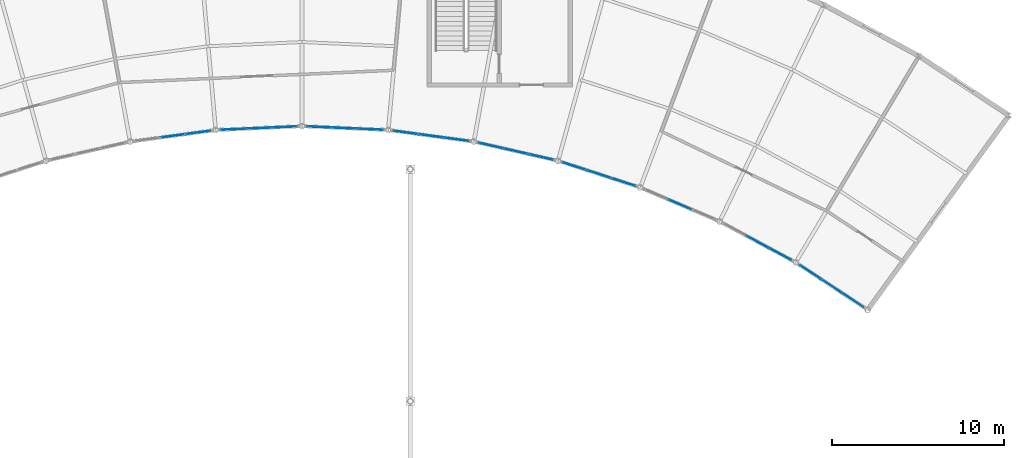
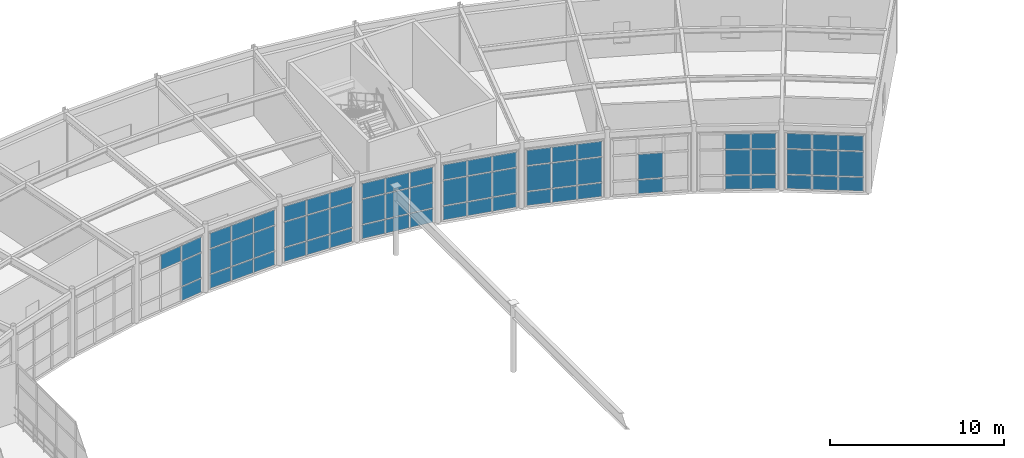
# One storey, part 89 of 116: 66 plates, 9 elements without a shape of their own.
"""IFC4 building model written with IfcOpenShell, lengths in metres."""

from ifc_helpers import new_model, si_unit, direction, frame, origin, origin_2d, place, context, subcontext, project, spatial, rectangle, extrude, material, layer, layer_set, type_object, element, aggregate, save


model = new_model("IFC4")

# Units and contexts
model_context = context("Model", 3, precision=1e-05, world=origin(), true_north=direction((0.0, 1.0)))
body_context = subcontext(model_context, "Body", "Model", "MODEL_VIEW")
ifc_project = project(units=[si_unit("LENGTHUNIT", "METRE"), si_unit("AREAUNIT", "SQUARE_METRE"), si_unit("VOLUMEUNIT", "CUBIC_METRE"), si_unit("PLANEANGLEUNIT", "RADIAN"), si_unit("MASSUNIT", "GRAM", prefix="KILO")], contexts=[model_context])

# Site, building, storey
site_placement = place(None, origin())
site = spatial("IfcSite", under=ifc_project, at=site_placement, CompositionType="ELEMENT")
building_placement = place(site_placement, origin())
building = spatial("IfcBuilding", under=site, at=building_placement, Name="Selat Folded Stagehouse", CompositionType="ELEMENT")
storey_placement = place(building_placement, frame((0.0, 0.0, 5.39990234375)))
storey = spatial("IfcBuildingStorey", under=building, at=storey_placement, Name="L01", CompositionType="ELEMENT", Elevation=5.39990234375)

# Curtain wall, plates
ifc_material_1 = material(Name="Aluminium 6063-T6", Category="aluminium")
ifc_layer_1 = layer(ifc_material_1, 0.18994140625)
ifc_layer_set_1 = layer_set([ifc_layer_1], Name="Aluminium 6063-T6")
curtain_wall_type = type_object("IfcCurtainWallType", Name="CW-REH-ARC", PredefinedType="NOTDEFINED", material=ifc_layer_set_1)
curtain_wall_1_placement = place(storey_placement, origin())
curtain_wall_1 = element("IfcCurtainWall", 1, at=curtain_wall_1_placement, inside=storey, type_object=curtain_wall_type, Name="L01 curtain wall CW-REH-L01-05", PredefinedType="NOTDEFINED")
ifc_material_2 = material(Name="Laminated low-E double glazing", Category="glass")
ifc_layer_2 = layer(ifc_material_2, 0.031982421875)
ifc_layer_set_2 = layer_set([ifc_layer_2], Name="Laminated low-E double glazing")
plate_type = type_object("IfcPlateType", Name="CWP-GLZ-DGU32", PredefinedType="CURTAIN_PANEL", material=ifc_layer_set_2)
plate_1_placement = place(storey_placement, frame((86.370361328125, 93.6376953125, 0.06494140625), z_axis=(0.0, 0.0, 1.0), x_axis=(-0.990952673876, -0.134211766018, 0.0)))
plate_1 = element("IfcPlate", 2, at=plate_1_placement, type_object=plate_type, Name="CW-06 panel 1.1", PredefinedType="CURTAIN_PANEL", context=body_context, shape_type="SweptSolid", body=[
    extrude(rectangle(XDim=1.418212890625, YDim=0.031982421875, at=origin_2d()), origin(), (0.0, 0.0, 1.0), 0.952392578125),
])
plate_2_placement = place(storey_placement, frame((86.370361328125, 93.6376953125, 1.08251953125), z_axis=(0.0, 0.0, 1.0), x_axis=(-0.990952673876, -0.134211766018, 0.0)))
plate_2 = element("IfcPlate", 3, at=plate_2_placement, type_object=plate_type, Name="CW-06 panel 1.2", PredefinedType="CURTAIN_PANEL", context=body_context, shape_type="SweptSolid", body=[
    extrude(rectangle(XDim=1.418212890625, YDim=0.031982421875, at=origin_2d()), origin(), (0.0, 0.0, 1.0), 1.735107421875),
])
plate_3_placement = place(storey_placement, frame((86.370361328125, 93.6376953125, 2.8828125), z_axis=(0.0, 0.0, 1.0), x_axis=(-0.990952673876, -0.134211766018, 0.0)))
plate_3 = element("IfcPlate", 4, at=plate_3_placement, type_object=plate_type, Name="CW-06 panel 1.3", PredefinedType="CURTAIN_PANEL", context=body_context, shape_type="SweptSolid", body=[
    extrude(rectangle(XDim=1.418212890625, YDim=0.031982421875, at=origin_2d()), origin(), (0.0, 0.0, 1.0), 1.052490234375),
])
plate_4_placement = place(storey_placement, frame((84.890380859375, 93.437255859375, 2.8828125), z_axis=(0.0, 0.0, 1.0), x_axis=(-0.990952673876, -0.134211766018, 0.0)))
plate_4 = element("IfcPlate", 5, at=plate_4_placement, type_object=plate_type, Name="CW-06 panel 2.3", PredefinedType="CURTAIN_PANEL", context=body_context, shape_type="SweptSolid", body=[
    extrude(rectangle(XDim=1.4482421875, YDim=0.031982421875, at=origin_2d()), origin(), (0.0, 0.0, 1.0), 1.052490234375),
])
aggregate(curtain_wall_1, [plate_1, plate_2, plate_3, plate_4])

curtain_wall_2_placement = place(storey_placement, origin())
curtain_wall_2 = element("IfcCurtainWall", 6, at=curtain_wall_2_placement, inside=storey, type_object=curtain_wall_type, Name="L01 curtain wall CW-REH-L01-06", PredefinedType="NOTDEFINED")
plate_5_placement = place(storey_placement, frame((91.3818359375, 93.954345703125, 0.06494140625), z_axis=(0.0, 0.0, 1.0), x_axis=(-0.998993179436, -0.044862316478, 0.0)))
plate_5 = element("IfcPlate", 7, at=plate_5_placement, type_object=plate_type, Name="CW-06 panel 1.1", PredefinedType="CURTAIN_PANEL", context=body_context, shape_type="SweptSolid", body=[
    extrude(rectangle(XDim=1.418212890625, YDim=0.031982421875, at=origin_2d()), origin(), (0.0, 0.0, 1.0), 0.952392578125),
])
plate_6_placement = place(storey_placement, frame((91.3818359375, 93.954345703125, 1.08251953125), z_axis=(0.0, 0.0, 1.0), x_axis=(-0.998993179436, -0.044862316478, 0.0)))
plate_6 = element("IfcPlate", 8, at=plate_6_placement, type_object=plate_type, Name="CW-06 panel 1.2", PredefinedType="CURTAIN_PANEL", context=body_context, shape_type="SweptSolid", body=[
    extrude(rectangle(XDim=1.418212890625, YDim=0.031982421875, at=origin_2d()), origin(), (0.0, 0.0, 1.0), 1.735107421875),
])
plate_7_placement = place(storey_placement, frame((91.3818359375, 93.954345703125, 2.8828125), z_axis=(0.0, 0.0, 1.0), x_axis=(-0.998993179436, -0.044862316478, 0.0)))
plate_7 = element("IfcPlate", 9, at=plate_7_placement, type_object=plate_type, Name="CW-06 panel 1.3", PredefinedType="CURTAIN_PANEL", context=body_context, shape_type="SweptSolid", body=[
    extrude(rectangle(XDim=1.418212890625, YDim=0.031982421875, at=origin_2d()), origin(), (0.0, 0.0, 1.0), 1.052490234375),
])
plate_8_placement = place(storey_placement, frame((89.89013671875, 93.88720703125, 0.06494140625), z_axis=(0.0, 0.0, 1.0), x_axis=(-0.998993179436, -0.044862316478, 0.0)))
plate_8 = element("IfcPlate", 10, at=plate_8_placement, type_object=plate_type, Name="CW-06 panel 2.1", PredefinedType="CURTAIN_PANEL", context=body_context, shape_type="SweptSolid", body=[
    extrude(rectangle(XDim=1.4482421875, YDim=0.031982421875, at=origin_2d()), origin(), (0.0, 0.0, 1.0), 0.952392578125),
])
plate_9_placement = place(storey_placement, frame((89.89013671875, 93.88720703125, 1.08251953125), z_axis=(0.0, 0.0, 1.0), x_axis=(-0.998993179436, -0.044862316478, 0.0)))
plate_9 = element("IfcPlate", 11, at=plate_9_placement, type_object=plate_type, Name="CW-06 panel 2.2", PredefinedType="CURTAIN_PANEL", context=body_context, shape_type="SweptSolid", body=[
    extrude(rectangle(XDim=1.4482421875, YDim=0.031982421875, at=origin_2d()), origin(), (0.0, 0.0, 1.0), 1.735107421875),
])
plate_10_placement = place(storey_placement, frame((89.89013671875, 93.88720703125, 2.8828125), z_axis=(0.0, 0.0, 1.0), x_axis=(-0.998993179436, -0.044862316478, 0.0)))
plate_10 = element("IfcPlate", 12, at=plate_10_placement, type_object=plate_type, Name="CW-06 panel 2.3", PredefinedType="CURTAIN_PANEL", context=body_context, shape_type="SweptSolid", body=[
    extrude(rectangle(XDim=1.4482421875, YDim=0.031982421875, at=origin_2d()), origin(), (0.0, 0.0, 1.0), 1.052490234375),
])
plate_11_placement = place(storey_placement, frame((88.398193359375, 93.8203125, 0.06494140625), z_axis=(0.0, 0.0, 1.0), x_axis=(-0.998993179436, -0.044862316478, 0.0)))
plate_11 = element("IfcPlate", 13, at=plate_11_placement, type_object=plate_type, Name="CW-06 panel 3.1", PredefinedType="CURTAIN_PANEL", context=body_context, shape_type="SweptSolid", body=[
    extrude(rectangle(XDim=1.418212890625, YDim=0.031982421875, at=origin_2d()), origin(), (0.0, 0.0, 1.0), 0.952392578125),
])
plate_12_placement = place(storey_placement, frame((88.398193359375, 93.8203125, 1.08251953125), z_axis=(0.0, 0.0, 1.0), x_axis=(-0.998993179436, -0.044862316478, 0.0)))
plate_12 = element("IfcPlate", 14, at=plate_12_placement, type_object=plate_type, Name="CW-06 panel 3.2", PredefinedType="CURTAIN_PANEL", context=body_context, shape_type="SweptSolid", body=[
    extrude(rectangle(XDim=1.418212890625, YDim=0.031982421875, at=origin_2d()), origin(), (0.0, 0.0, 1.0), 1.735107421875),
])
plate_13_placement = place(storey_placement, frame((88.398193359375, 93.8203125, 2.8828125), z_axis=(0.0, 0.0, 1.0), x_axis=(-0.998993179436, -0.044862316478, 0.0)))
plate_13 = element("IfcPlate", 15, at=plate_13_placement, type_object=plate_type, Name="CW-06 panel 3.3", PredefinedType="CURTAIN_PANEL", context=body_context, shape_type="SweptSolid", body=[
    extrude(rectangle(XDim=1.418212890625, YDim=0.031982421875, at=origin_2d()), origin(), (0.0, 0.0, 1.0), 1.052490234375),
])
aggregate(curtain_wall_2, [plate_5, plate_6, plate_7, plate_8, plate_9, plate_10, plate_11, plate_12, plate_13])

curtain_wall_3_placement = place(storey_placement, origin())
curtain_wall_3 = element("IfcCurtainWall", 16, at=curtain_wall_3_placement, inside=storey, type_object=curtain_wall_type, Name="L01 curtain wall CW-REH-L01-07", PredefinedType="NOTDEFINED")
plate_14_placement = place(storey_placement, frame((96.401611328125, 93.8203125, 0.06494140625), z_axis=(0.0, 0.0, 1.0), x_axis=(-0.998993179436, 0.044862316478, 0.0)))
plate_14 = element("IfcPlate", 17, at=plate_14_placement, type_object=plate_type, Name="CW-06 panel 1.1", PredefinedType="CURTAIN_PANEL", context=body_context, shape_type="SweptSolid", body=[
    extrude(rectangle(XDim=1.418212890625, YDim=0.031982421875, at=origin_2d()), origin(), (0.0, 0.0, 1.0), 0.952392578125),
])
plate_15_placement = place(storey_placement, frame((96.401611328125, 93.8203125, 1.08251953125), z_axis=(0.0, 0.0, 1.0), x_axis=(-0.998993179436, 0.044862316478, 0.0)))
plate_15 = element("IfcPlate", 18, at=plate_15_placement, type_object=plate_type, Name="CW-06 panel 1.2", PredefinedType="CURTAIN_PANEL", context=body_context, shape_type="SweptSolid", body=[
    extrude(rectangle(XDim=1.418212890625, YDim=0.031982421875, at=origin_2d()), origin(), (0.0, 0.0, 1.0), 1.735107421875),
])
plate_16_placement = place(storey_placement, frame((96.401611328125, 93.8203125, 2.8828125), z_axis=(0.0, 0.0, 1.0), x_axis=(-0.998993179436, 0.044862316478, 0.0)))
plate_16 = element("IfcPlate", 19, at=plate_16_placement, type_object=plate_type, Name="CW-06 panel 1.3", PredefinedType="CURTAIN_PANEL", context=body_context, shape_type="SweptSolid", body=[
    extrude(rectangle(XDim=1.418212890625, YDim=0.031982421875, at=origin_2d()), origin(), (0.0, 0.0, 1.0), 1.052490234375),
])
plate_17_placement = place(storey_placement, frame((94.909912109375, 93.88720703125, 0.06494140625), z_axis=(0.0, 0.0, 1.0), x_axis=(-0.998993179436, 0.044862316478, 0.0)))
plate_17 = element("IfcPlate", 20, at=plate_17_placement, type_object=plate_type, Name="CW-06 panel 2.1", PredefinedType="CURTAIN_PANEL", context=body_context, shape_type="SweptSolid", body=[
    extrude(rectangle(XDim=1.4482421875, YDim=0.031982421875, at=origin_2d()), origin(), (0.0, 0.0, 1.0), 0.952392578125),
])
plate_18_placement = place(storey_placement, frame((94.909912109375, 93.88720703125, 1.08251953125), z_axis=(0.0, 0.0, 1.0), x_axis=(-0.998993179436, 0.044862316478, 0.0)))
plate_18 = element("IfcPlate", 21, at=plate_18_placement, type_object=plate_type, Name="CW-06 panel 2.2", PredefinedType="CURTAIN_PANEL", context=body_context, shape_type="SweptSolid", body=[
    extrude(rectangle(XDim=1.4482421875, YDim=0.031982421875, at=origin_2d()), origin(), (0.0, 0.0, 1.0), 1.735107421875),
])
plate_19_placement = place(storey_placement, frame((94.909912109375, 93.88720703125, 2.8828125), z_axis=(0.0, 0.0, 1.0), x_axis=(-0.998993179436, 0.044862316478, 0.0)))
plate_19 = element("IfcPlate", 22, at=plate_19_placement, type_object=plate_type, Name="CW-06 panel 2.3", PredefinedType="CURTAIN_PANEL", context=body_context, shape_type="SweptSolid", body=[
    extrude(rectangle(XDim=1.4482421875, YDim=0.031982421875, at=origin_2d()), origin(), (0.0, 0.0, 1.0), 1.052490234375),
])
plate_20_placement = place(storey_placement, frame((93.41796875, 93.954345703125, 0.06494140625), z_axis=(0.0, 0.0, 1.0), x_axis=(-0.998993179436, 0.044862316478, 0.0)))
plate_20 = element("IfcPlate", 23, at=plate_20_placement, type_object=plate_type, Name="CW-06 panel 3.1", PredefinedType="CURTAIN_PANEL", context=body_context, shape_type="SweptSolid", body=[
    extrude(rectangle(XDim=1.418212890625, YDim=0.031982421875, at=origin_2d()), origin(), (0.0, 0.0, 1.0), 0.952392578125),
])
plate_21_placement = place(storey_placement, frame((93.41796875, 93.954345703125, 1.08251953125), z_axis=(0.0, 0.0, 1.0), x_axis=(-0.998993179436, 0.044862316478, 0.0)))
plate_21 = element("IfcPlate", 24, at=plate_21_placement, type_object=plate_type, Name="CW-06 panel 3.2", PredefinedType="CURTAIN_PANEL", context=body_context, shape_type="SweptSolid", body=[
    extrude(rectangle(XDim=1.418212890625, YDim=0.031982421875, at=origin_2d()), origin(), (0.0, 0.0, 1.0), 1.735107421875),
])
plate_22_placement = place(storey_placement, frame((93.41796875, 93.954345703125, 2.8828125), z_axis=(0.0, 0.0, 1.0), x_axis=(-0.998993179436, 0.044862316478, 0.0)))
plate_22 = element("IfcPlate", 25, at=plate_22_placement, type_object=plate_type, Name="CW-06 panel 3.3", PredefinedType="CURTAIN_PANEL", context=body_context, shape_type="SweptSolid", body=[
    extrude(rectangle(XDim=1.418212890625, YDim=0.031982421875, at=origin_2d()), origin(), (0.0, 0.0, 1.0), 1.052490234375),
])
aggregate(curtain_wall_3, [plate_14, plate_15, plate_16, plate_17, plate_18, plate_19, plate_20, plate_21, plate_22])

curtain_wall_4_placement = place(storey_placement, origin())
curtain_wall_4 = element("IfcCurtainWall", 26, at=curtain_wall_4_placement, inside=storey, type_object=curtain_wall_type, Name="L01 curtain wall CW-REH-L01-08", PredefinedType="NOTDEFINED")
plate_23_placement = place(storey_placement, frame((101.389404296875, 93.23681640625, 0.06494140625), z_axis=(0.0, 0.0, 1.0), x_axis=(-0.990952673876, 0.134211766018, 0.0)))
plate_23 = element("IfcPlate", 27, at=plate_23_placement, type_object=plate_type, Name="CW-06 panel 1.1", PredefinedType="CURTAIN_PANEL", context=body_context, shape_type="SweptSolid", body=[
    extrude(rectangle(XDim=1.418212890625, YDim=0.031982421875, at=origin_2d()), origin(), (0.0, 0.0, 1.0), 0.952392578125),
])
plate_24_placement = place(storey_placement, frame((101.389404296875, 93.23681640625, 1.08251953125), z_axis=(0.0, 0.0, 1.0), x_axis=(-0.990952673876, 0.134211766018, 0.0)))
plate_24 = element("IfcPlate", 28, at=plate_24_placement, type_object=plate_type, Name="CW-06 panel 1.2", PredefinedType="CURTAIN_PANEL", context=body_context, shape_type="SweptSolid", body=[
    extrude(rectangle(XDim=1.418212890625, YDim=0.031982421875, at=origin_2d()), origin(), (0.0, 0.0, 1.0), 1.735107421875),
])
plate_25_placement = place(storey_placement, frame((101.389404296875, 93.23681640625, 2.8828125), z_axis=(0.0, 0.0, 1.0), x_axis=(-0.990952673876, 0.134211766018, 0.0)))
plate_25 = element("IfcPlate", 29, at=plate_25_placement, type_object=plate_type, Name="CW-06 panel 1.3", PredefinedType="CURTAIN_PANEL", context=body_context, shape_type="SweptSolid", body=[
    extrude(rectangle(XDim=1.418212890625, YDim=0.031982421875, at=origin_2d()), origin(), (0.0, 0.0, 1.0), 1.052490234375),
])
plate_26_placement = place(storey_placement, frame((99.909423828125, 93.437255859375, 0.06494140625), z_axis=(0.0, 0.0, 1.0), x_axis=(-0.990952673876, 0.134211766018, 0.0)))
plate_26 = element("IfcPlate", 30, at=plate_26_placement, type_object=plate_type, Name="CW-06 panel 2.1", PredefinedType="CURTAIN_PANEL", context=body_context, shape_type="SweptSolid", body=[
    extrude(rectangle(XDim=1.4482421875, YDim=0.031982421875, at=origin_2d()), origin(), (0.0, 0.0, 1.0), 0.952392578125),
])
plate_27_placement = place(storey_placement, frame((99.909423828125, 93.437255859375, 1.08251953125), z_axis=(0.0, 0.0, 1.0), x_axis=(-0.990952673876, 0.134211766018, 0.0)))
plate_27 = element("IfcPlate", 31, at=plate_27_placement, type_object=plate_type, Name="CW-06 panel 2.2", PredefinedType="CURTAIN_PANEL", context=body_context, shape_type="SweptSolid", body=[
    extrude(rectangle(XDim=1.4482421875, YDim=0.031982421875, at=origin_2d()), origin(), (0.0, 0.0, 1.0), 1.735107421875),
])
plate_28_placement = place(storey_placement, frame((99.909423828125, 93.437255859375, 2.8828125), z_axis=(0.0, 0.0, 1.0), x_axis=(-0.990952673876, 0.134211766018, 0.0)))
plate_28 = element("IfcPlate", 32, at=plate_28_placement, type_object=plate_type, Name="CW-06 panel 2.3", PredefinedType="CURTAIN_PANEL", context=body_context, shape_type="SweptSolid", body=[
    extrude(rectangle(XDim=1.4482421875, YDim=0.031982421875, at=origin_2d()), origin(), (0.0, 0.0, 1.0), 1.052490234375),
])
plate_29_placement = place(storey_placement, frame((98.4296875, 93.6376953125, 0.06494140625), z_axis=(0.0, 0.0, 1.0), x_axis=(-0.990952673876, 0.134211766018, 0.0)))
plate_29 = element("IfcPlate", 33, at=plate_29_placement, type_object=plate_type, Name="CW-06 panel 3.1", PredefinedType="CURTAIN_PANEL", context=body_context, shape_type="SweptSolid", body=[
    extrude(rectangle(XDim=1.418212890625, YDim=0.031982421875, at=origin_2d()), origin(), (0.0, 0.0, 1.0), 0.952392578125),
])
plate_30_placement = place(storey_placement, frame((98.4296875, 93.6376953125, 1.08251953125), z_axis=(0.0, 0.0, 1.0), x_axis=(-0.990952673876, 0.134211766018, 0.0)))
plate_30 = element("IfcPlate", 34, at=plate_30_placement, type_object=plate_type, Name="CW-06 panel 3.2", PredefinedType="CURTAIN_PANEL", context=body_context, shape_type="SweptSolid", body=[
    extrude(rectangle(XDim=1.418212890625, YDim=0.031982421875, at=origin_2d()), origin(), (0.0, 0.0, 1.0), 1.735107421875),
])
plate_31_placement = place(storey_placement, frame((98.4296875, 93.6376953125, 2.8828125), z_axis=(0.0, 0.0, 1.0), x_axis=(-0.990952673876, 0.134211766018, 0.0)))
plate_31 = element("IfcPlate", 35, at=plate_31_placement, type_object=plate_type, Name="CW-06 panel 3.3", PredefinedType="CURTAIN_PANEL", context=body_context, shape_type="SweptSolid", body=[
    extrude(rectangle(XDim=1.418212890625, YDim=0.031982421875, at=origin_2d()), origin(), (0.0, 0.0, 1.0), 1.052490234375),
])
aggregate(curtain_wall_4, [plate_23, plate_24, plate_25, plate_26, plate_27, plate_28, plate_29, plate_30, plate_31])

curtain_wall_5_placement = place(storey_placement, origin())
curtain_wall_5 = element("IfcCurtainWall", 36, at=curtain_wall_5_placement, inside=storey, type_object=curtain_wall_type, Name="L01 curtain wall CW-REH-L01-09", PredefinedType="NOTDEFINED")
plate_32_placement = place(storey_placement, frame((106.304443359375, 92.208740234375, 0.06494140625), z_axis=(0.0, 0.0, 1.0), x_axis=(-0.974922930026, 0.222542761079, 0.0)))
plate_32 = element("IfcPlate", 37, at=plate_32_placement, type_object=plate_type, Name="CW-06 panel 1.1", PredefinedType="CURTAIN_PANEL", context=body_context, shape_type="SweptSolid", body=[
    extrude(rectangle(XDim=1.418212890625, YDim=0.031982421875, at=origin_2d()), origin(), (0.0, 0.0, 1.0), 0.952392578125),
])
plate_33_placement = place(storey_placement, frame((106.304443359375, 92.208740234375, 1.08251953125), z_axis=(0.0, 0.0, 1.0), x_axis=(-0.974922930026, 0.222542761079, 0.0)))
plate_33 = element("IfcPlate", 38, at=plate_33_placement, type_object=plate_type, Name="CW-06 panel 1.2", PredefinedType="CURTAIN_PANEL", context=body_context, shape_type="SweptSolid", body=[
    extrude(rectangle(XDim=1.418212890625, YDim=0.031982421875, at=origin_2d()), origin(), (0.0, 0.0, 1.0), 1.735107421875),
])
plate_34_placement = place(storey_placement, frame((106.304443359375, 92.208740234375, 2.8828125), z_axis=(0.0, 0.0, 1.0), x_axis=(-0.974922930026, 0.222542761079, 0.0)))
plate_34 = element("IfcPlate", 39, at=plate_34_placement, type_object=plate_type, Name="CW-06 panel 1.3", PredefinedType="CURTAIN_PANEL", context=body_context, shape_type="SweptSolid", body=[
    extrude(rectangle(XDim=1.418212890625, YDim=0.031982421875, at=origin_2d()), origin(), (0.0, 0.0, 1.0), 1.052490234375),
])
plate_35_placement = place(storey_placement, frame((104.8486328125, 92.541015625, 0.06494140625), z_axis=(0.0, 0.0, 1.0), x_axis=(-0.974922930026, 0.222542761079, 0.0)))
plate_35 = element("IfcPlate", 40, at=plate_35_placement, type_object=plate_type, Name="CW-06 panel 2.1", PredefinedType="CURTAIN_PANEL", context=body_context, shape_type="SweptSolid", body=[
    extrude(rectangle(XDim=1.4482421875, YDim=0.031982421875, at=origin_2d()), origin(), (0.0, 0.0, 1.0), 0.952392578125),
])
plate_36_placement = place(storey_placement, frame((104.8486328125, 92.541015625, 1.08251953125), z_axis=(0.0, 0.0, 1.0), x_axis=(-0.974922930026, 0.222542761079, 0.0)))
plate_36 = element("IfcPlate", 41, at=plate_36_placement, type_object=plate_type, Name="CW-06 panel 2.2", PredefinedType="CURTAIN_PANEL", context=body_context, shape_type="SweptSolid", body=[
    extrude(rectangle(XDim=1.4482421875, YDim=0.031982421875, at=origin_2d()), origin(), (0.0, 0.0, 1.0), 1.735107421875),
])
plate_37_placement = place(storey_placement, frame((104.8486328125, 92.541015625, 2.8828125), z_axis=(0.0, 0.0, 1.0), x_axis=(-0.974922930026, 0.222542761079, 0.0)))
plate_37 = element("IfcPlate", 42, at=plate_37_placement, type_object=plate_type, Name="CW-06 panel 2.3", PredefinedType="CURTAIN_PANEL", context=body_context, shape_type="SweptSolid", body=[
    extrude(rectangle(XDim=1.4482421875, YDim=0.031982421875, at=origin_2d()), origin(), (0.0, 0.0, 1.0), 1.052490234375),
])
plate_38_placement = place(storey_placement, frame((103.392822265625, 92.873291015625, 0.06494140625), z_axis=(0.0, 0.0, 1.0), x_axis=(-0.974922930026, 0.222542761079, 0.0)))
plate_38 = element("IfcPlate", 43, at=plate_38_placement, type_object=plate_type, Name="CW-06 panel 3.1", PredefinedType="CURTAIN_PANEL", context=body_context, shape_type="SweptSolid", body=[
    extrude(rectangle(XDim=1.418212890625, YDim=0.031982421875, at=origin_2d()), origin(), (0.0, 0.0, 1.0), 0.952392578125),
])
plate_39_placement = place(storey_placement, frame((103.392822265625, 92.873291015625, 1.08251953125), z_axis=(0.0, 0.0, 1.0), x_axis=(-0.974922930026, 0.222542761079, 0.0)))
plate_39 = element("IfcPlate", 44, at=plate_39_placement, type_object=plate_type, Name="CW-06 panel 3.2", PredefinedType="CURTAIN_PANEL", context=body_context, shape_type="SweptSolid", body=[
    extrude(rectangle(XDim=1.418212890625, YDim=0.031982421875, at=origin_2d()), origin(), (0.0, 0.0, 1.0), 1.735107421875),
])
plate_40_placement = place(storey_placement, frame((103.392822265625, 92.873291015625, 2.8828125), z_axis=(0.0, 0.0, 1.0), x_axis=(-0.974922930026, 0.222542761079, 0.0)))
plate_40 = element("IfcPlate", 45, at=plate_40_placement, type_object=plate_type, Name="CW-06 panel 3.3", PredefinedType="CURTAIN_PANEL", context=body_context, shape_type="SweptSolid", body=[
    extrude(rectangle(XDim=1.418212890625, YDim=0.031982421875, at=origin_2d()), origin(), (0.0, 0.0, 1.0), 1.052490234375),
])
aggregate(curtain_wall_5, [plate_32, plate_33, plate_34, plate_35, plate_36, plate_37, plate_38, plate_39, plate_40])

curtain_wall_6_placement = place(storey_placement, origin())
curtain_wall_6 = element("IfcCurtainWall", 46, at=curtain_wall_6_placement, inside=storey, type_object=curtain_wall_type, Name="L01 curtain wall CW-REH-L01-10", PredefinedType="NOTDEFINED")
plate_41_placement = place(storey_placement, frame((111.107666015625, 90.744140625, 0.06494140625), z_axis=(0.0, 0.0, 1.0), x_axis=(-0.951064760323, 0.308991620714, 0.0)))
plate_41 = element("IfcPlate", 47, at=plate_41_placement, type_object=plate_type, Name="CW-06 panel 1.1", PredefinedType="CURTAIN_PANEL", context=body_context, shape_type="SweptSolid", body=[
    extrude(rectangle(XDim=1.418212890625, YDim=0.031982421875, at=origin_2d()), origin(), (0.0, 0.0, 1.0), 0.952392578125),
])
plate_42_placement = place(storey_placement, frame((111.107666015625, 90.744140625, 1.08251953125), z_axis=(0.0, 0.0, 1.0), x_axis=(-0.951064760323, 0.308991620714, 0.0)))
plate_42 = element("IfcPlate", 48, at=plate_42_placement, type_object=plate_type, Name="CW-06 panel 1.2", PredefinedType="CURTAIN_PANEL", context=body_context, shape_type="SweptSolid", body=[
    extrude(rectangle(XDim=1.418212890625, YDim=0.031982421875, at=origin_2d()), origin(), (0.0, 0.0, 1.0), 1.735107421875),
])
plate_43_placement = place(storey_placement, frame((111.107666015625, 90.744140625, 2.8828125), z_axis=(0.0, 0.0, 1.0), x_axis=(-0.951064760323, 0.308991620714, 0.0)))
plate_43 = element("IfcPlate", 49, at=plate_43_placement, type_object=plate_type, Name="CW-06 panel 1.3", PredefinedType="CURTAIN_PANEL", context=body_context, shape_type="SweptSolid", body=[
    extrude(rectangle(XDim=1.418212890625, YDim=0.031982421875, at=origin_2d()), origin(), (0.0, 0.0, 1.0), 1.052490234375),
])
plate_44_placement = place(storey_placement, frame((109.6875, 91.20556640625, 0.06494140625), z_axis=(0.0, 0.0, 1.0), x_axis=(-0.951064760323, 0.308991620714, 0.0)))
plate_44 = element("IfcPlate", 50, at=plate_44_placement, type_object=plate_type, Name="CW-06 panel 2.1", PredefinedType="CURTAIN_PANEL", context=body_context, shape_type="SweptSolid", body=[
    extrude(rectangle(XDim=1.4482421875, YDim=0.031982421875, at=origin_2d()), origin(), (0.0, 0.0, 1.0), 0.952392578125),
])
plate_45_placement = place(storey_placement, frame((109.6875, 91.20556640625, 1.08251953125), z_axis=(0.0, 0.0, 1.0), x_axis=(-0.951064760323, 0.308991620714, 0.0)))
plate_45 = element("IfcPlate", 51, at=plate_45_placement, type_object=plate_type, Name="CW-06 panel 2.2", PredefinedType="CURTAIN_PANEL", context=body_context, shape_type="SweptSolid", body=[
    extrude(rectangle(XDim=1.4482421875, YDim=0.031982421875, at=origin_2d()), origin(), (0.0, 0.0, 1.0), 1.735107421875),
])
plate_46_placement = place(storey_placement, frame((109.6875, 91.20556640625, 2.8828125), z_axis=(0.0, 0.0, 1.0), x_axis=(-0.951064760323, 0.308991620714, 0.0)))
plate_46 = element("IfcPlate", 52, at=plate_46_placement, type_object=plate_type, Name="CW-06 panel 2.3", PredefinedType="CURTAIN_PANEL", context=body_context, shape_type="SweptSolid", body=[
    extrude(rectangle(XDim=1.4482421875, YDim=0.031982421875, at=origin_2d()), origin(), (0.0, 0.0, 1.0), 1.052490234375),
])
plate_47_placement = place(storey_placement, frame((108.267333984375, 91.6669921875, 0.06494140625), z_axis=(0.0, 0.0, 1.0), x_axis=(-0.951064760323, 0.308991620714, 0.0)))
plate_47 = element("IfcPlate", 53, at=plate_47_placement, type_object=plate_type, Name="CW-06 panel 3.1", PredefinedType="CURTAIN_PANEL", context=body_context, shape_type="SweptSolid", body=[
    extrude(rectangle(XDim=1.418212890625, YDim=0.031982421875, at=origin_2d()), origin(), (0.0, 0.0, 1.0), 0.952392578125),
])
plate_48_placement = place(storey_placement, frame((108.267333984375, 91.6669921875, 1.08251953125), z_axis=(0.0, 0.0, 1.0), x_axis=(-0.951064760323, 0.308991620714, 0.0)))
plate_48 = element("IfcPlate", 54, at=plate_48_placement, type_object=plate_type, Name="CW-06 panel 3.2", PredefinedType="CURTAIN_PANEL", context=body_context, shape_type="SweptSolid", body=[
    extrude(rectangle(XDim=1.418212890625, YDim=0.031982421875, at=origin_2d()), origin(), (0.0, 0.0, 1.0), 1.735107421875),
])
plate_49_placement = place(storey_placement, frame((108.267333984375, 91.6669921875, 2.8828125), z_axis=(0.0, 0.0, 1.0), x_axis=(-0.951064760323, 0.308991620714, 0.0)))
plate_49 = element("IfcPlate", 55, at=plate_49_placement, type_object=plate_type, Name="CW-06 panel 3.3", PredefinedType="CURTAIN_PANEL", context=body_context, shape_type="SweptSolid", body=[
    extrude(rectangle(XDim=1.418212890625, YDim=0.031982421875, at=origin_2d()), origin(), (0.0, 0.0, 1.0), 1.052490234375),
])
aggregate(curtain_wall_6, [plate_41, plate_42, plate_43, plate_44, plate_45, plate_46, plate_47, plate_48, plate_49])

curtain_wall_7_placement = place(storey_placement, origin())
curtain_wall_7 = element("IfcCurtainWall", 56, at=curtain_wall_7_placement, inside=storey, type_object=curtain_wall_type, Name="L01 curtain wall CW-REH-L01-11", PredefinedType="NOTDEFINED")
plate_50_placement = place(storey_placement, frame((114.38720703125, 89.441650390625, 0.06494140625), z_axis=(0.0, 0.0, 1.0), x_axis=(-0.919533245639, 0.393012226483, 0.0)))
plate_50 = element("IfcPlate", 57, at=plate_50_placement, type_object=plate_type, Name="CW-06 panel 2.1", PredefinedType="CURTAIN_PANEL", context=body_context, shape_type="SweptSolid", body=[
    extrude(rectangle(XDim=1.4482421875, YDim=0.031982421875, at=origin_2d()), origin(), (0.0, 0.0, 1.0), 0.952392578125),
])
plate_51_placement = place(storey_placement, frame((114.38720703125, 89.441650390625, 1.08251953125), z_axis=(0.0, 0.0, 1.0), x_axis=(-0.919533245639, 0.393012226483, 0.0)))
plate_51 = element("IfcPlate", 58, at=plate_51_placement, type_object=plate_type, Name="CW-06 panel 2.2", PredefinedType="CURTAIN_PANEL", context=body_context, shape_type="SweptSolid", body=[
    extrude(rectangle(XDim=1.4482421875, YDim=0.031982421875, at=origin_2d()), origin(), (0.0, 0.0, 1.0), 1.735107421875),
])
aggregate(curtain_wall_7, [plate_50, plate_51])

curtain_wall_8_placement = place(storey_placement, origin())
curtain_wall_8 = element("IfcCurtainWall", 59, at=curtain_wall_8_placement, inside=storey, type_object=curtain_wall_type, Name="L01 curtain wall CW-REH-L01-12", PredefinedType="NOTDEFINED")
plate_52_placement = place(storey_placement, frame((120.224853515625, 86.55615234375, 0.06494140625), z_axis=(0.0, 0.0, 1.0), x_axis=(-0.880600927119, 0.473858636259, 0.0)))
plate_52 = element("IfcPlate", 60, at=plate_52_placement, type_object=plate_type, Name="CW-06 panel 1.1", PredefinedType="CURTAIN_PANEL", context=body_context, shape_type="SweptSolid", body=[
    extrude(rectangle(XDim=1.418212890625, YDim=0.031982421875, at=origin_2d()), origin(), (0.0, 0.0, 1.0), 0.952392578125),
])
plate_53_placement = place(storey_placement, frame((120.224853515625, 86.55615234375, 1.08251953125), z_axis=(0.0, 0.0, 1.0), x_axis=(-0.880600927119, 0.473858636259, 0.0)))
plate_53 = element("IfcPlate", 61, at=plate_53_placement, type_object=plate_type, Name="CW-06 panel 1.2", PredefinedType="CURTAIN_PANEL", context=body_context, shape_type="SweptSolid", body=[
    extrude(rectangle(XDim=1.418212890625, YDim=0.031982421875, at=origin_2d()), origin(), (0.0, 0.0, 1.0), 1.735107421875),
])
plate_54_placement = place(storey_placement, frame((120.224853515625, 86.55615234375, 2.8828125), z_axis=(0.0, 0.0, 1.0), x_axis=(-0.880600927119, 0.473858636259, 0.0)))
plate_54 = element("IfcPlate", 62, at=plate_54_placement, type_object=plate_type, Name="CW-06 panel 1.3", PredefinedType="CURTAIN_PANEL", context=body_context, shape_type="SweptSolid", body=[
    extrude(rectangle(XDim=1.418212890625, YDim=0.031982421875, at=origin_2d()), origin(), (0.0, 0.0, 1.0), 1.052490234375),
])
plate_55_placement = place(storey_placement, frame((118.909912109375, 87.263671875, 0.06494140625), z_axis=(0.0, 0.0, 1.0), x_axis=(-0.880600927119, 0.473858636259, 0.0)))
plate_55 = element("IfcPlate", 63, at=plate_55_placement, type_object=plate_type, Name="CW-06 panel 2.1", PredefinedType="CURTAIN_PANEL", context=body_context, shape_type="SweptSolid", body=[
    extrude(rectangle(XDim=1.4482421875, YDim=0.031982421875, at=origin_2d()), origin(), (0.0, 0.0, 1.0), 0.952392578125),
])
plate_56_placement = place(storey_placement, frame((118.909912109375, 87.263671875, 1.08251953125), z_axis=(0.0, 0.0, 1.0), x_axis=(-0.880600927119, 0.473858636259, 0.0)))
plate_56 = element("IfcPlate", 64, at=plate_56_placement, type_object=plate_type, Name="CW-06 panel 2.2", PredefinedType="CURTAIN_PANEL", context=body_context, shape_type="SweptSolid", body=[
    extrude(rectangle(XDim=1.4482421875, YDim=0.031982421875, at=origin_2d()), origin(), (0.0, 0.0, 1.0), 1.735107421875),
])
plate_57_placement = place(storey_placement, frame((118.909912109375, 87.263671875, 2.8828125), z_axis=(0.0, 0.0, 1.0), x_axis=(-0.880600927119, 0.473858636259, 0.0)))
plate_57 = element("IfcPlate", 65, at=plate_57_placement, type_object=plate_type, Name="CW-06 panel 2.3", PredefinedType="CURTAIN_PANEL", context=body_context, shape_type="SweptSolid", body=[
    extrude(rectangle(XDim=1.4482421875, YDim=0.031982421875, at=origin_2d()), origin(), (0.0, 0.0, 1.0), 1.052490234375),
])
aggregate(curtain_wall_8, [plate_52, plate_53, plate_54, plate_55, plate_56, plate_57])

curtain_wall_9_placement = place(storey_placement, origin())
curtain_wall_9 = element("IfcCurtainWall", 66, at=curtain_wall_9_placement, inside=storey, type_object=curtain_wall_type, Name="L01 curtain wall CW-REH-L01-13", PredefinedType="NOTDEFINED")
plate_58_placement = place(storey_placement, frame((124.465576171875, 83.866455078125, 0.06494140625), z_axis=(0.0, 0.0, 1.0), x_axis=(-0.834581363399, 0.550884695619, 0.0)))
plate_58 = element("IfcPlate", 67, at=plate_58_placement, type_object=plate_type, Name="CW-06 panel 1.1", PredefinedType="CURTAIN_PANEL", context=body_context, shape_type="SweptSolid", body=[
    extrude(rectangle(XDim=1.418212890625, YDim=0.031982421875, at=origin_2d()), origin(), (0.0, 0.0, 1.0), 0.952392578125),
])
plate_59_placement = place(storey_placement, frame((124.465576171875, 83.866455078125, 1.08251953125), z_axis=(0.0, 0.0, 1.0), x_axis=(-0.834581363399, 0.550884695619, 0.0)))
plate_59 = element("IfcPlate", 68, at=plate_59_placement, type_object=plate_type, Name="CW-06 panel 1.2", PredefinedType="CURTAIN_PANEL", context=body_context, shape_type="SweptSolid", body=[
    extrude(rectangle(XDim=1.418212890625, YDim=0.031982421875, at=origin_2d()), origin(), (0.0, 0.0, 1.0), 1.735107421875),
])
plate_60_placement = place(storey_placement, frame((124.465576171875, 83.866455078125, 2.8828125), z_axis=(0.0, 0.0, 1.0), x_axis=(-0.834581363399, 0.550884695619, 0.0)))
plate_60 = element("IfcPlate", 69, at=plate_60_placement, type_object=plate_type, Name="CW-06 panel 1.3", PredefinedType="CURTAIN_PANEL", context=body_context, shape_type="SweptSolid", body=[
    extrude(rectangle(XDim=1.418212890625, YDim=0.031982421875, at=origin_2d()), origin(), (0.0, 0.0, 1.0), 1.052490234375),
])
plate_61_placement = place(storey_placement, frame((123.21923828125, 84.68896484375, 0.06494140625), z_axis=(0.0, 0.0, 1.0), x_axis=(-0.834581363399, 0.550884695619, 0.0)))
plate_61 = element("IfcPlate", 70, at=plate_61_placement, type_object=plate_type, Name="CW-06 panel 2.1", PredefinedType="CURTAIN_PANEL", context=body_context, shape_type="SweptSolid", body=[
    extrude(rectangle(XDim=1.4482421875, YDim=0.031982421875, at=origin_2d()), origin(), (0.0, 0.0, 1.0), 0.952392578125),
])
plate_62_placement = place(storey_placement, frame((123.21923828125, 84.68896484375, 1.08251953125), z_axis=(0.0, 0.0, 1.0), x_axis=(-0.834581363399, 0.550884695619, 0.0)))
plate_62 = element("IfcPlate", 71, at=plate_62_placement, type_object=plate_type, Name="CW-06 panel 2.2", PredefinedType="CURTAIN_PANEL", context=body_context, shape_type="SweptSolid", body=[
    extrude(rectangle(XDim=1.4482421875, YDim=0.031982421875, at=origin_2d()), origin(), (0.0, 0.0, 1.0), 1.735107421875),
])
plate_63_placement = place(storey_placement, frame((123.21923828125, 84.68896484375, 2.8828125), z_axis=(0.0, 0.0, 1.0), x_axis=(-0.834581363399, 0.550884695619, 0.0)))
plate_63 = element("IfcPlate", 72, at=plate_63_placement, type_object=plate_type, Name="CW-06 panel 2.3", PredefinedType="CURTAIN_PANEL", context=body_context, shape_type="SweptSolid", body=[
    extrude(rectangle(XDim=1.4482421875, YDim=0.031982421875, at=origin_2d()), origin(), (0.0, 0.0, 1.0), 1.052490234375),
])
plate_64_placement = place(storey_placement, frame((121.972900390625, 85.51171875, 0.06494140625), z_axis=(0.0, 0.0, 1.0), x_axis=(-0.834581363399, 0.550884695619, 0.0)))
plate_64 = element("IfcPlate", 73, at=plate_64_placement, type_object=plate_type, Name="CW-06 panel 3.1", PredefinedType="CURTAIN_PANEL", context=body_context, shape_type="SweptSolid", body=[
    extrude(rectangle(XDim=1.418212890625, YDim=0.031982421875, at=origin_2d()), origin(), (0.0, 0.0, 1.0), 0.952392578125),
])
plate_65_placement = place(storey_placement, frame((121.972900390625, 85.51171875, 1.08251953125), z_axis=(0.0, 0.0, 1.0), x_axis=(-0.834581363399, 0.550884695619, 0.0)))
plate_65 = element("IfcPlate", 74, at=plate_65_placement, type_object=plate_type, Name="CW-06 panel 3.2", PredefinedType="CURTAIN_PANEL", context=body_context, shape_type="SweptSolid", body=[
    extrude(rectangle(XDim=1.418212890625, YDim=0.031982421875, at=origin_2d()), origin(), (0.0, 0.0, 1.0), 1.735107421875),
])
plate_66_placement = place(storey_placement, frame((121.972900390625, 85.51171875, 2.8828125), z_axis=(0.0, 0.0, 1.0), x_axis=(-0.834581363399, 0.550884695619, 0.0)))
plate_66 = element("IfcPlate", 75, at=plate_66_placement, type_object=plate_type, Name="CW-06 panel 3.3", PredefinedType="CURTAIN_PANEL", context=body_context, shape_type="SweptSolid", body=[
    extrude(rectangle(XDim=1.418212890625, YDim=0.031982421875, at=origin_2d()), origin(), (0.0, 0.0, 1.0), 1.052490234375),
])
aggregate(curtain_wall_9, [plate_58, plate_59, plate_60, plate_61, plate_62, plate_63, plate_64, plate_65, plate_66])

save(model, "model.ifc")
